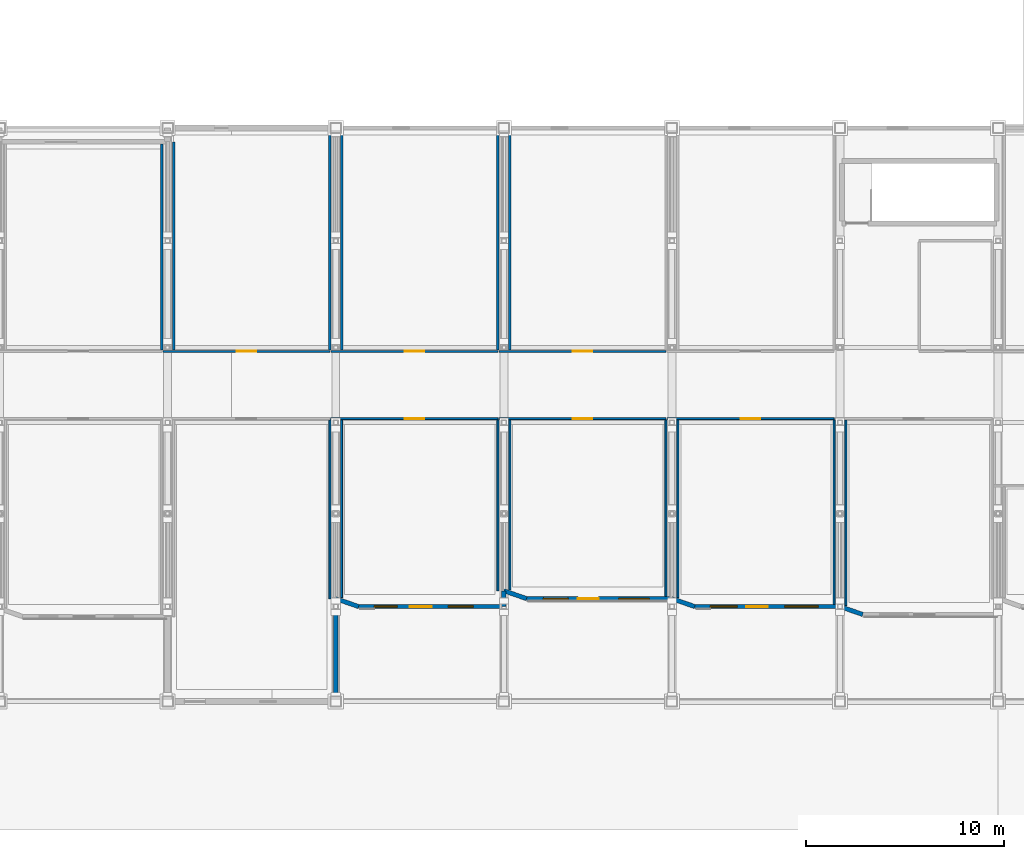
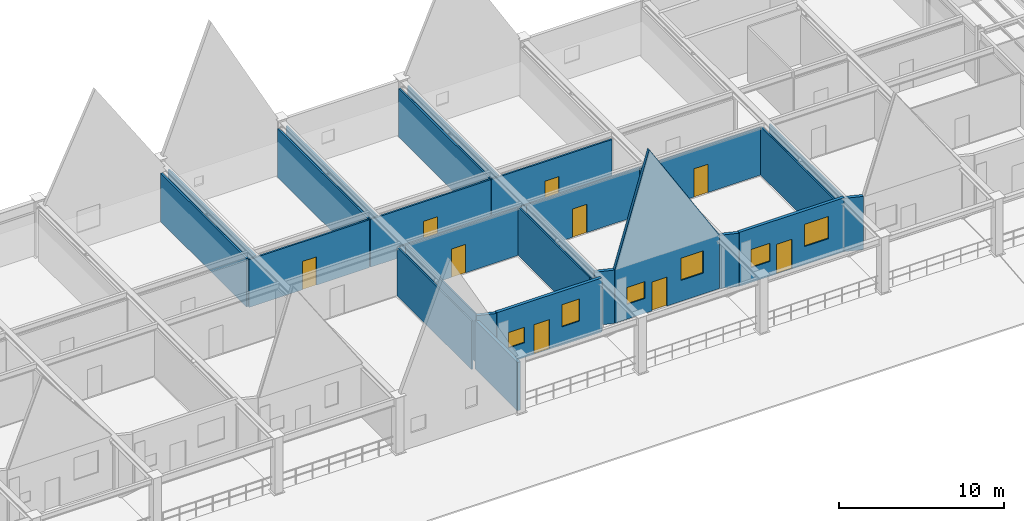
# One storey, part 64 of 78: 29 walls, 9 doors, 6 windows, 15 openings.
"""IFC4 building model written with IfcOpenShell, lengths in metres."""

from ifc_helpers import new_model, si_unit, direction, frame, frame_2d, origin, place, context, subcontext, project, spatial, polyline, rectangle, outline, extrude, material, layer, layer_set, type_object, element, fill, save


model = new_model("IFC4")

# Units and contexts
model_context = context("Model", 3, precision=1e-05, world=origin(), true_north=direction((0.0, 1.0)))
body_context = subcontext(model_context, "Body", "Model", "MODEL_VIEW")
ifc_project = project(units=[si_unit("LENGTHUNIT", "METRE"), si_unit("AREAUNIT", "SQUARE_METRE"), si_unit("VOLUMEUNIT", "CUBIC_METRE"), si_unit("PLANEANGLEUNIT", "RADIAN"), si_unit("MASSUNIT", "GRAM", prefix="KILO"), si_unit("THERMODYNAMICTEMPERATUREUNIT", "KELVIN"), si_unit("POWERUNIT", "WATT")], contexts=[model_context])

# Site, building, storey
site_placement = place(None, origin())
site = spatial("IfcSite", under=ifc_project, at=site_placement, CompositionType="ELEMENT")
building_placement = place(site_placement, origin())
building = spatial("IfcBuilding", under=site, at=building_placement, Name="Zhenchuan Central Fire Station", CompositionType="ELEMENT")
storey_placement = place(building_placement, frame((0.0, 0.0, 5.85009765625)))
storey = spatial("IfcBuildingStorey", under=building, at=storey_placement, Name="L02", CompositionType="ELEMENT", Elevation=5.85009765625)

# Wall
ifc_material_1 = material(Name="Precast concrete C40/50", Category="concrete")
ifc_layer_1 = layer(ifc_material_1, 0.219970703125, Name="Precast concrete C40/50", Category="concrete")
ifc_layer_set_1 = layer_set([ifc_layer_1], Name="Precast concrete C40/50")
wall_type_1 = type_object("IfcWallType", Name="EW-PRC220", PredefinedType="SOLIDWALL", material=ifc_layer_set_1)
wall_1_placement = place(storey_placement, frame((98.5, 6.510009765625, 0.0), z_axis=(0.0, 0.0, 1.0), x_axis=(0.0, 1.0, 0.0)))
element("IfcWall", 1, at=wall_1_placement, inside=storey, type_object=wall_type_1, Name="Pavilion H06 South Setback Return Wall", PredefinedType="SOLIDWALL", context=body_context, shape_type="SweptSolid", body=[
    extrude(rectangle(XDim=5.179931640625, YDim=0.219970703125, at=frame_2d((2.58984375, 0.0))), origin(), (0.0, 0.0, 1.0), 3.58984375),
])

# Wall, openings, door, windows
wall_2_placement = place(storey_placement, frame((99.64990234375, 11.300048828125, 0.0), z_axis=(0.0, 0.0, 1.0), x_axis=(1.0, 0.0, 0.0)))
wall_2 = element("IfcWall", 2, at=wall_2_placement, inside=storey, type_object=wall_type_1, Name="Pavilion H06 South Wall", PredefinedType="SOLIDWALL", context=body_context, shape_type="SweptSolid", body=[
    extrude(rectangle(XDim=7.35009765625, YDim=0.219970703125, at=frame_2d((3.675048828125, 0.0))), origin(), (0.0, 0.0, 1.0), 4.0),
])
opening_1_placement = place(wall_2_placement, frame((2.60009765625, 0.0, 0.0)))
opening_1 = element("IfcOpeningElement", 3, at=opening_1_placement, cuts=wall_2, Name="Opening TD-005", PredefinedType="OPENING", context=body_context, shape_type="SweptSolid", body=[
    extrude(rectangle(XDim=1.10009765625, YDim=2.199951171875, at=frame_2d((0.550048828125, 1.10009765625))), frame((0.0, 0.119873046875, 0.0), z_axis=(0.0, -1.0, 0.0), x_axis=(1.0, 0.0, 0.0)), (0.0, 0.0, 1.0), 0.239990234375),
])
opening_2_placement = place(wall_2_placement, frame((0.800048828125, 0.0, 1.10009765625)))
opening_2 = element("IfcOpeningElement", 4, at=opening_2_placement, cuts=wall_2, Name="Opening W-06", PredefinedType="OPENING", context=body_context, shape_type="SweptSolid", body=[
    extrude(rectangle(XDim=1.14990234375, YDim=1.14990234375, at=frame_2d((0.574951171875, 0.574951171875))), frame((0.0, 0.119873046875, 0.0), z_axis=(0.0, -1.0, 0.0), x_axis=(1.0, 0.0, 0.0)), (0.0, 0.0, 1.0), 0.239990234375),
])
opening_3_placement = place(wall_2_placement, frame((4.550048828125, 0.0, 1.35009765625)))
opening_3 = element("IfcOpeningElement", 5, at=opening_3_placement, cuts=wall_2, Name="Opening W-49", PredefinedType="OPENING", context=body_context, shape_type="SweptSolid", body=[
    extrude(rectangle(XDim=1.25, YDim=1.64990234375, at=frame_2d((0.625, 0.824951171875))), frame((0.0, 0.119873046875, 0.0), z_axis=(0.0, -1.0, 0.0), x_axis=(1.0, 0.0, 0.0)), (0.0, 0.0, 1.0), 0.239990234375),
])
ifc_material_2 = material(Name="Thermally broken aluminium terrace door", Category="aluminium")
door_type_1 = type_object("IfcDoorType", Name="ED-110x220", OperationType="NOTDEFINED", PredefinedType="DOOR", material=ifc_material_2)
door_1_placement = place(opening_1_placement, frame((1.10009765625, 0.0, 0.0), z_axis=(0.0, 0.0, 1.0), x_axis=(-1.0, 0.0, 0.0)))
door_1 = element("IfcDoor", 6, at=door_1_placement, inside=storey, type_object=door_type_1, Name="Pavilion H06 Setback Terrace Door", OperationType="SINGLE_SWING_LEFT", OverallHeight=2.199951171875, OverallWidth=1.10009765625, PredefinedType="DOOR", context=body_context, shape_type="SweptSolid", body=[
    extrude(rectangle(XDim=1.10009765625, YDim=2.199951171875, at=frame_2d((0.550048828125, 1.10009765625))), frame((0.0, 0.02490234375, 0.0), z_axis=(0.0, -1.0, 0.0), x_axis=(1.0, 0.0, 0.0)), (0.0, 0.0, 1.0), 0.050048828125),
])
fill(opening_1, door_1)
ifc_material_3 = material(Name="Laminated low-E double glazing in aluminium frame", Category="aluminium")
window_type_1 = type_object("IfcWindowType", Name="WN-06", PartitioningType="SINGLE_PANEL", PredefinedType="WINDOW", material=ifc_material_3)
window_1_placement = place(opening_2_placement, origin())
window_1 = element("IfcWindow", 7, at=window_1_placement, inside=storey, type_object=window_type_1, Name="Exterior Window 0021", OverallHeight=1.14990234375, OverallWidth=1.14990234375, PartitioningType="SINGLE_PANEL", PredefinedType="WINDOW", context=body_context, shape_type="SweptSolid", body=[
    extrude(rectangle(XDim=1.14990234375, YDim=1.14990234375, at=frame_2d((0.574951171875, 0.574951171875))), frame((0.0, 0.030029296875, 0.0), z_axis=(0.0, -1.0, 0.0), x_axis=(1.0, 0.0, 0.0)), (0.0, 0.0, 1.0), 0.06005859375),
])
fill(opening_2, window_1)
window_type_2 = type_object("IfcWindowType", Name="WN-49", PartitioningType="SINGLE_PANEL", PredefinedType="WINDOW", material=ifc_material_3)
window_2_placement = place(opening_3_placement, origin())
window_2 = element("IfcWindow", 8, at=window_2_placement, inside=storey, type_object=window_type_2, Name="Exterior Window 0022", OverallHeight=1.64990234375, OverallWidth=1.25, PartitioningType="SINGLE_PANEL", PredefinedType="WINDOW", context=body_context, shape_type="SweptSolid", body=[
    extrude(rectangle(XDim=1.25, YDim=1.64990234375, at=frame_2d((0.625, 0.824951171875))), frame((0.0, 0.030029296875, 0.0), z_axis=(0.0, -1.0, 0.0), x_axis=(1.0, 0.0, 0.0)), (0.0, 0.0, 1.0), 0.06005859375),
])
fill(opening_3, window_2)

# Walls
wall_3_placement = place(storey_placement, frame((98.5, 11.699951171875, 0.0), z_axis=(0.0, 0.0, 1.0), x_axis=(0.944513027611, -0.328473957373, 0.0)))
element("IfcWall", 9, at=wall_3_placement, inside=storey, type_object=wall_type_1, Name="Pavilion H06 Chamfer Wall", PredefinedType="SOLIDWALL", context=body_context, shape_type="SweptSolid", body=[
    extrude(outline(polyline([(0.0, 0.0), (1.217529296875, 0.0), (1.217529296875, 3.949951171875), (0.0, 3.949951171875), (0.0, 0.0)])), frame((0.0, 0.10986328125, 0.0), z_axis=(0.0, -1.0, 0.0), x_axis=(1.0, 0.0, 0.0)), (0.0, 0.0, 1.0), 0.219970703125),
])
wall_4_placement = place(storey_placement, frame((107.0, 11.31005859375, 0.0), z_axis=(0.0, 0.0, 1.0), x_axis=(0.0, 1.0, 0.0)))
element("IfcWall", 10, at=wall_4_placement, inside=storey, type_object=wall_type_1, Name="Pavilion H07 South Setback Return Wall", PredefinedType="SOLIDWALL", context=body_context, shape_type="SweptSolid", body=[
    extrude(rectangle(XDim=0.780029296875, YDim=0.219970703125, at=frame_2d((0.39013671875, 0.0))), origin(), (0.0, 0.0, 1.0), 3.58984375),
])

# Wall, openings, door, windows
wall_5_placement = place(storey_placement, frame((108.14990234375, 11.699951171875, 0.0), z_axis=(0.0, 0.0, 1.0), x_axis=(1.0, 0.0, 0.0)))
wall_5 = element("IfcWall", 11, at=wall_5_placement, inside=storey, type_object=wall_type_1, Name="Pavilion H07 South Gable Wall", PredefinedType="SOLIDWALL", context=body_context, shape_type="SweptSolid", body=[
    extrude(outline(polyline([(0.0, 0.0), (7.35009765625, 0.0), (7.35009765625, 3.949951171875), (2.419921875, 12.02001953125), (0.0, 3.949951171875), (0.0, 0.0)])), frame((0.0, 0.10986328125, 0.0), z_axis=(0.0, -1.0, 0.0), x_axis=(1.0, 0.0, 0.0)), (0.0, 0.0, 1.0), 0.219970703125),
])
opening_4_placement = place(wall_5_placement, frame((2.60009765625, 0.0, 0.0)))
opening_4 = element("IfcOpeningElement", 12, at=opening_4_placement, cuts=wall_5, Name="Opening TD-006", PredefinedType="OPENING", context=body_context, shape_type="SweptSolid", body=[
    extrude(rectangle(XDim=1.050048828125, YDim=2.14990234375, at=frame_2d((0.52490234375, 1.074951171875))), frame((0.0, 0.119873046875, 0.0), z_axis=(0.0, -1.0, 0.0), x_axis=(1.0, 0.0, 0.0)), (0.0, 0.0, 1.0), 0.239990234375),
])
opening_5_placement = place(wall_5_placement, frame((0.85009765625, 0.0, 1.10009765625)))
opening_5 = element("IfcOpeningElement", 13, at=opening_5_placement, cuts=wall_5, Name="Opening W-07", PredefinedType="OPENING", context=body_context, shape_type="SweptSolid", body=[
    extrude(rectangle(XDim=1.25, YDim=1.25, at=frame_2d((0.625, 0.625))), frame((0.0, 0.119873046875, 0.0), z_axis=(0.0, -1.0, 0.0), x_axis=(1.0, 0.0, 0.0)), (0.0, 0.0, 1.0), 0.239990234375),
])
opening_6_placement = place(wall_5_placement, frame((4.64990234375, 0.0, 1.550048828125)))
opening_6 = element("IfcOpeningElement", 14, at=opening_6_placement, cuts=wall_5, Name="Opening W-50", PredefinedType="OPENING", context=body_context, shape_type="SweptSolid", body=[
    extrude(rectangle(XDim=1.550048828125, YDim=1.64990234375, at=frame_2d((0.77490234375, 0.824951171875))), frame((0.0, 0.119873046875, 0.0), z_axis=(0.0, -1.0, 0.0), x_axis=(1.0, 0.0, 0.0)), (0.0, 0.0, 1.0), 0.239990234375),
])
door_type_2 = type_object("IfcDoorType", Name="ED-105x215", OperationType="NOTDEFINED", PredefinedType="DOOR", material=ifc_material_2)
door_2_placement = place(opening_4_placement, frame((1.050048828125, 0.0, 0.0), z_axis=(0.0, 0.0, 1.0), x_axis=(-1.0, 0.0, 0.0)))
door_2 = element("IfcDoor", 15, at=door_2_placement, inside=storey, type_object=door_type_2, Name="Pavilion H07 Terrace Door", OperationType="SINGLE_SWING_RIGHT", OverallHeight=2.14990234375, OverallWidth=1.050048828125, PredefinedType="DOOR", context=body_context, shape_type="SweptSolid", body=[
    extrude(rectangle(XDim=1.050048828125, YDim=2.14990234375, at=frame_2d((0.52490234375, 1.074951171875))), frame((0.0, 0.02490234375, 0.0), z_axis=(0.0, -1.0, 0.0), x_axis=(1.0, 0.0, 0.0)), (0.0, 0.0, 1.0), 0.050048828125),
])
fill(opening_4, door_2)
window_type_3 = type_object("IfcWindowType", Name="WN-07", PartitioningType="SINGLE_PANEL", PredefinedType="WINDOW", material=ifc_material_3)
window_3_placement = place(opening_5_placement, origin())
window_3 = element("IfcWindow", 16, at=window_3_placement, inside=storey, type_object=window_type_3, Name="Exterior Window 0024", OverallHeight=1.25, OverallWidth=1.25, PartitioningType="SINGLE_PANEL", PredefinedType="WINDOW", context=body_context, shape_type="SweptSolid", body=[
    extrude(rectangle(XDim=1.25, YDim=1.25, at=frame_2d((0.625, 0.625))), frame((0.0, 0.030029296875, 0.0), z_axis=(0.0, -1.0, 0.0), x_axis=(1.0, 0.0, 0.0)), (0.0, 0.0, 1.0), 0.06005859375),
])
fill(opening_5, window_3)
window_type_4 = type_object("IfcWindowType", Name="WN-50", PartitioningType="SINGLE_PANEL", PredefinedType="WINDOW", material=ifc_material_3)
window_4_placement = place(opening_6_placement, origin())
window_4 = element("IfcWindow", 17, at=window_4_placement, inside=storey, type_object=window_type_4, Name="Exterior Window 0025", OverallHeight=1.64990234375, OverallWidth=1.550048828125, PartitioningType="SINGLE_PANEL", PredefinedType="WINDOW", context=body_context, shape_type="SweptSolid", body=[
    extrude(rectangle(XDim=1.550048828125, YDim=1.64990234375, at=frame_2d((0.77490234375, 0.824951171875))), frame((0.0, 0.030029296875, 0.0), z_axis=(0.0, -1.0, 0.0), x_axis=(1.0, 0.0, 0.0)), (0.0, 0.0, 1.0), 0.06005859375),
])
fill(opening_6, window_4)

# Wall
wall_6_placement = place(storey_placement, frame((107.0, 12.10009765625, 0.0), z_axis=(0.0, 0.0, 1.0), x_axis=(0.944450799651, -0.328652836651, 0.0)))
element("IfcWall", 18, at=wall_6_placement, inside=storey, type_object=wall_type_1, Name="Pavilion H07 Chamfer Wall", PredefinedType="SOLIDWALL", context=body_context, shape_type="SweptSolid", body=[
    extrude(outline(polyline([(0.0, 0.0), (1.217529296875, 0.0), (1.217529296875, 3.949951171875), (0.0, 3.949951171875), (0.0, 0.0)])), frame((0.0, 0.10986328125, 0.0), z_axis=(0.0, -1.0, 0.0), x_axis=(1.0, 0.0, 0.0)), (0.0, 0.0, 1.0), 0.219970703125),
])

# Wall, openings, door, windows
wall_7_placement = place(storey_placement, frame((116.64990234375, 11.300048828125, 0.0), z_axis=(0.0, 0.0, 1.0), x_axis=(1.0, 0.0, 0.0)))
wall_7 = element("IfcWall", 19, at=wall_7_placement, inside=storey, type_object=wall_type_1, Name="Pavilion H08 South Wall", PredefinedType="SOLIDWALL", context=body_context, shape_type="SweptSolid", body=[
    extrude(rectangle(XDim=7.35009765625, YDim=0.219970703125, at=frame_2d((3.675048828125, 0.0))), origin(), (0.0, 0.0, 1.0), 4.0),
])
opening_7_placement = place(wall_7_placement, frame((2.60009765625, 0.0, 0.0)))
opening_7 = element("IfcOpeningElement", 20, at=opening_7_placement, cuts=wall_7, Name="Opening TD-007", PredefinedType="OPENING", context=body_context, shape_type="SweptSolid", body=[
    extrude(rectangle(XDim=1.10009765625, YDim=2.199951171875, at=frame_2d((0.550048828125, 1.10009765625))), frame((0.0, 0.119873046875, 0.0), z_axis=(0.0, -1.0, 0.0), x_axis=(1.0, 0.0, 0.0)), (0.0, 0.0, 1.0), 0.239990234375),
])
opening_8_placement = place(wall_7_placement, frame((0.800048828125, 0.0, 1.10009765625)))
opening_8 = element("IfcOpeningElement", 21, at=opening_8_placement, cuts=wall_7, Name="Opening W-08", PredefinedType="OPENING", context=body_context, shape_type="SweptSolid", body=[
    extrude(rectangle(XDim=1.35009765625, YDim=1.35009765625, at=frame_2d((0.675048828125, 0.675048828125))), frame((0.0, 0.119873046875, 0.0), z_axis=(0.0, -1.0, 0.0), x_axis=(1.0, 0.0, 0.0)), (0.0, 0.0, 1.0), 0.239990234375),
])
opening_9_placement = place(wall_7_placement, frame((4.550048828125, 0.0, 1.35009765625)))
opening_9 = element("IfcOpeningElement", 22, at=opening_9_placement, cuts=wall_7, Name="Opening W-51", PredefinedType="OPENING", context=body_context, shape_type="SweptSolid", body=[
    extrude(rectangle(XDim=1.699951171875, YDim=1.64990234375, at=frame_2d((0.85009765625, 0.824951171875))), frame((0.0, 0.119873046875, 0.0), z_axis=(0.0, -1.0, 0.0), x_axis=(1.0, 0.0, 0.0)), (0.0, 0.0, 1.0), 0.239990234375),
])
door_3_placement = place(opening_7_placement, frame((1.10009765625, 0.0, 0.0), z_axis=(0.0, 0.0, 1.0), x_axis=(-1.0, 0.0, 0.0)))
door_3 = element("IfcDoor", 23, at=door_3_placement, inside=storey, type_object=door_type_1, Name="Pavilion H08 Setback Terrace Door", OperationType="SINGLE_SWING_LEFT", OverallHeight=2.199951171875, OverallWidth=1.10009765625, PredefinedType="DOOR", context=body_context, shape_type="SweptSolid", body=[
    extrude(rectangle(XDim=1.10009765625, YDim=2.199951171875, at=frame_2d((0.550048828125, 1.10009765625))), frame((0.0, 0.02490234375, 0.0), z_axis=(0.0, -1.0, 0.0), x_axis=(1.0, 0.0, 0.0)), (0.0, 0.0, 1.0), 0.050048828125),
])
fill(opening_7, door_3)
window_type_5 = type_object("IfcWindowType", Name="WN-08", PartitioningType="SINGLE_PANEL", PredefinedType="WINDOW", material=ifc_material_3)
window_5_placement = place(opening_8_placement, origin())
window_5 = element("IfcWindow", 24, at=window_5_placement, inside=storey, type_object=window_type_5, Name="Exterior Window 0027", OverallHeight=1.35009765625, OverallWidth=1.35009765625, PartitioningType="SINGLE_PANEL", PredefinedType="WINDOW", context=body_context, shape_type="SweptSolid", body=[
    extrude(rectangle(XDim=1.35009765625, YDim=1.35009765625, at=frame_2d((0.675048828125, 0.675048828125))), frame((0.0, 0.030029296875, 0.0), z_axis=(0.0, -1.0, 0.0), x_axis=(1.0, 0.0, 0.0)), (0.0, 0.0, 1.0), 0.06005859375),
])
fill(opening_8, window_5)
window_type_6 = type_object("IfcWindowType", Name="WN-51", PartitioningType="SINGLE_PANEL", PredefinedType="WINDOW", material=ifc_material_3)
window_6_placement = place(opening_9_placement, origin())
window_6 = element("IfcWindow", 25, at=window_6_placement, inside=storey, type_object=window_type_6, Name="Exterior Window 0028", OverallHeight=1.64990234375, OverallWidth=1.699951171875, PartitioningType="SINGLE_PANEL", PredefinedType="WINDOW", context=body_context, shape_type="SweptSolid", body=[
    extrude(rectangle(XDim=1.699951171875, YDim=1.64990234375, at=frame_2d((0.85009765625, 0.824951171875))), frame((0.0, 0.030029296875, 0.0), z_axis=(0.0, -1.0, 0.0), x_axis=(1.0, 0.0, 0.0)), (0.0, 0.0, 1.0), 0.06005859375),
])
fill(opening_9, window_6)

# Walls
for number, where, z_axis, x_axis, name in (
    (26, (115.5, 11.699951171875, 0.0), (0.0, 0.0, 1.0), (0.944513027611, -0.328473957373, 0.0), "Pavilion H08 Chamfer Wall"),
    (27, (124.0, 11.300048828125, 0.0), (0.0, 0.0, 1.0), (0.944450799651, -0.328652836651, 0.0), "Pavilion H09 Chamfer Wall"),
):
    element("IfcWall", number, at=place(storey_placement, frame(where, z_axis=z_axis, x_axis=x_axis)), inside=storey, type_object=wall_type_1, Name=name, PredefinedType="SOLIDWALL", context=body_context, shape_type="SweptSolid", body=[
        extrude(outline(polyline([(0.0, 0.0), (1.217529296875, 0.0), (1.217529296875, 3.949951171875), (0.0, 3.949951171875), (0.0, 0.0)])), frame((0.0, 0.10986328125, 0.0), z_axis=(0.0, -1.0, 0.0), x_axis=(1.0, 0.0, 0.0)), (0.0, 0.0, 1.0), 0.219970703125),
    ])
ifc_material_4 = material(Name="Gypsum plasterboard on steel studs", Category="gypsum")
ifc_layer_2 = layer(ifc_material_4, 0.10009765625, Name="Gypsum plasterboard on steel studs", Category="gypsum")
ifc_layer_set_2 = layer_set([ifc_layer_2], Name="Gypsum plasterboard on steel studs")
wall_type_2 = type_object("IfcWallType", Name="IW-GYP100", PredefinedType="PARTITIONING", material=ifc_layer_set_2)
wall_8_placement = place(storey_placement, frame((98.199951171875, 11.693115234375, 0.0), z_axis=(0.0, 0.0, 1.0), x_axis=(0.0, 1.0, 0.0)))
element("IfcWall", 28, at=wall_8_placement, inside=storey, type_object=wall_type_2, Name="Central Station Heritage Hall E Partition", PredefinedType="PARTITIONING", context=body_context, shape_type="SweptSolid", body=[
    extrude(rectangle(XDim=9.053955078125, YDim=0.10009765625, at=frame_2d((4.52685546875, 0.0))), origin(), (0.0, 0.0, 1.0), 3.593994140625),
])

# Wall, opening, door
wall_9_placement = place(storey_placement, frame((98.2529296875, 20.800048828125, 0.0), z_axis=(0.0, 0.0, 1.0), x_axis=(1.0, 0.0, 0.0)))
wall_9 = element("IfcWall", 29, at=wall_9_placement, inside=storey, type_object=wall_type_2, Name="Medical Rescue Training Studio N Partition", PredefinedType="PARTITIONING", context=body_context, shape_type="SweptSolid", body=[
    extrude(rectangle(XDim=8.447021484375, YDim=0.10009765625, at=frame_2d((4.2236328125, 0.0))), origin(), (0.0, 0.0, 1.0), 3.5439453125),
])
opening_10_placement = place(wall_9_placement, frame((3.723388671875, 0.0, 0.0)))
opening_10 = element("IfcOpeningElement", 30, at=opening_10_placement, cuts=wall_9, Name="Opening D-110", PredefinedType="OPENING", context=body_context, shape_type="SweptSolid", body=[
    extrude(rectangle(XDim=1.0, YDim=2.10009765625, at=frame_2d((0.5, 1.050048828125))), frame((0.0, 0.06005859375, 0.0), z_axis=(0.0, -1.0, 0.0), x_axis=(1.0, 0.0, 0.0)), (0.0, 0.0, 1.0), 0.1201171875),
])
ifc_material_5 = material(Name="Solid-core timber office door", Category="wood")
door_type_3 = type_object("IfcDoorType", Name="ID-OFF-100x210", OperationType="NOTDEFINED", PredefinedType="DOOR", material=ifc_material_5)
door_4_placement = place(opening_10_placement, origin())
door_4 = element("IfcDoor", 31, at=door_4_placement, inside=storey, type_object=door_type_3, Name="Medical Rescue Training Studio Door", OperationType="SINGLE_SWING_RIGHT", OverallHeight=2.10009765625, OverallWidth=1.0, PredefinedType="DOOR", context=body_context, shape_type="SweptSolid", body=[
    extrude(rectangle(XDim=1.0, YDim=2.10009765625, at=frame_2d((0.5, 1.050048828125))), frame((0.0, 0.02490234375, 0.0), z_axis=(0.0, -1.0, 0.0), x_axis=(1.0, 0.0, 0.0)), (0.0, 0.0, 1.0), 0.050048828125),
])
fill(opening_10, door_4)

# Walls
wall_10_placement = place(storey_placement, frame((98.800048828125, 11.75, 0.0), z_axis=(0.0, 0.0, 1.0), x_axis=(0.0, 1.0, 0.0)))
element("IfcWall", 32, at=wall_10_placement, inside=storey, type_object=wall_type_2, Name="Medical Rescue Training Studio W Partition", PredefinedType="PARTITIONING", context=body_context, shape_type="SweptSolid", body=[
    extrude(rectangle(XDim=8.9970703125, YDim=0.10009765625, at=frame_2d((4.49853515625, 0.0))), origin(), (0.0, 0.0, 1.0), 3.593994140625),
])
wall_11_placement = place(storey_placement, frame((106.699951171875, 12.093017578125, 0.0), z_axis=(0.0, 0.0, 1.0), x_axis=(0.0, 1.0, 0.0)))
element("IfcWall", 33, at=wall_11_placement, inside=storey, type_object=wall_type_2, Name="Medical Rescue Training Studio E Partition", PredefinedType="PARTITIONING", context=body_context, shape_type="SweptSolid", body=[
    extrude(rectangle(XDim=8.654052734375, YDim=0.10009765625, at=frame_2d((4.3271484375, 0.0))), origin(), (0.0, 0.0, 1.0), 3.593994140625),
])

# Wall, opening, door
wall_12_placement = place(storey_placement, frame((106.7529296875, 20.800048828125, 0.0), z_axis=(0.0, 0.0, 1.0), x_axis=(1.0, 0.0, 0.0)))
wall_12 = element("IfcWall", 34, at=wall_12_placement, inside=storey, type_object=wall_type_2, Name="Technical Library and Reading Room N Partition", PredefinedType="PARTITIONING", context=body_context, shape_type="SweptSolid", body=[
    extrude(rectangle(XDim=8.447021484375, YDim=0.10009765625, at=frame_2d((4.2236328125, 0.0))), origin(), (0.0, 0.0, 1.0), 3.5439453125),
])
opening_11_placement = place(wall_12_placement, frame((3.723388671875, 0.0, 0.0)))
opening_11 = element("IfcOpeningElement", 35, at=opening_11_placement, cuts=wall_12, Name="Opening D-112", PredefinedType="OPENING", context=body_context, shape_type="SweptSolid", body=[
    extrude(rectangle(XDim=1.0, YDim=2.10009765625, at=frame_2d((0.5, 1.050048828125))), frame((0.0, 0.06005859375, 0.0), z_axis=(0.0, -1.0, 0.0), x_axis=(1.0, 0.0, 0.0)), (0.0, 0.0, 1.0), 0.1201171875),
])
door_5_placement = place(opening_11_placement, origin())
door_5 = element("IfcDoor", 36, at=door_5_placement, inside=storey, type_object=door_type_3, Name="Technical Library and Reading Room Door", OperationType="SINGLE_SWING_RIGHT", OverallHeight=2.10009765625, OverallWidth=1.0, PredefinedType="DOOR", context=body_context, shape_type="SweptSolid", body=[
    extrude(rectangle(XDim=1.0, YDim=2.10009765625, at=frame_2d((0.5, 1.050048828125))), frame((0.0, 0.02490234375, 0.0), z_axis=(0.0, -1.0, 0.0), x_axis=(1.0, 0.0, 0.0)), (0.0, 0.0, 1.0), 0.050048828125),
])
fill(opening_11, door_5)

# Walls
wall_13_placement = place(storey_placement, frame((107.300048828125, 12.14990234375, 0.0), z_axis=(0.0, 0.0, 1.0), x_axis=(0.0, 1.0, 0.0)))
element("IfcWall", 37, at=wall_13_placement, inside=storey, type_object=wall_type_2, Name="Technical Library and Reading Room W Partition", PredefinedType="PARTITIONING", context=body_context, shape_type="SweptSolid", body=[
    extrude(rectangle(XDim=8.59716796875, YDim=0.10009765625, at=frame_2d((4.298583984375, 0.0))), origin(), (0.0, 0.0, 1.0), 3.593994140625),
])
wall_14_placement = place(storey_placement, frame((115.199951171875, 11.81298828125, 0.0), z_axis=(0.0, 0.0, 1.0), x_axis=(0.0, 1.0, 0.0)))
element("IfcWall", 38, at=wall_14_placement, inside=storey, type_object=wall_type_2, Name="Technical Library and Reading Room E Partition", PredefinedType="PARTITIONING", context=body_context, shape_type="SweptSolid", body=[
    extrude(rectangle(XDim=8.93408203125, YDim=0.10009765625, at=frame_2d((4.467041015625, 0.0))), origin(), (0.0, 0.0, 1.0), 3.593994140625),
])

# Wall, opening, door
wall_15_placement = place(storey_placement, frame((115.2529296875, 20.800048828125, 0.0), z_axis=(0.0, 0.0, 1.0), x_axis=(1.0, 0.0, 0.0)))
wall_15 = element("IfcWall", 39, at=wall_15_placement, inside=storey, type_object=wall_type_2, Name="Drone Reconnaissance Lab N Partition", PredefinedType="PARTITIONING", context=body_context, shape_type="SweptSolid", body=[
    extrude(rectangle(XDim=8.447021484375, YDim=0.10009765625, at=frame_2d((4.2236328125, 0.0))), origin(), (0.0, 0.0, 1.0), 3.5439453125),
])
opening_12_placement = place(wall_15_placement, frame((3.723388671875, 0.0, 0.0)))
opening_12 = element("IfcOpeningElement", 40, at=opening_12_placement, cuts=wall_15, Name="Opening D-114", PredefinedType="OPENING", context=body_context, shape_type="SweptSolid", body=[
    extrude(rectangle(XDim=1.0, YDim=2.10009765625, at=frame_2d((0.5, 1.050048828125))), frame((0.0, 0.06005859375, 0.0), z_axis=(0.0, -1.0, 0.0), x_axis=(1.0, 0.0, 0.0)), (0.0, 0.0, 1.0), 0.1201171875),
])
door_6_placement = place(opening_12_placement, origin())
door_6 = element("IfcDoor", 41, at=door_6_placement, inside=storey, type_object=door_type_3, Name="Drone Reconnaissance Lab Door", OperationType="SINGLE_SWING_RIGHT", OverallHeight=2.10009765625, OverallWidth=1.0, PredefinedType="DOOR", context=body_context, shape_type="SweptSolid", body=[
    extrude(rectangle(XDim=1.0, YDim=2.10009765625, at=frame_2d((0.5, 1.050048828125))), frame((0.0, 0.02490234375, 0.0), z_axis=(0.0, -1.0, 0.0), x_axis=(1.0, 0.0, 0.0)), (0.0, 0.0, 1.0), 0.050048828125),
])
fill(opening_12, door_6)

# Walls
wall_16_placement = place(storey_placement, frame((115.800048828125, 11.75, 0.0), z_axis=(0.0, 0.0, 1.0), x_axis=(0.0, 1.0, 0.0)))
element("IfcWall", 42, at=wall_16_placement, inside=storey, type_object=wall_type_2, Name="Drone Reconnaissance Lab W Partition", PredefinedType="PARTITIONING", context=body_context, shape_type="SweptSolid", body=[
    extrude(rectangle(XDim=8.9970703125, YDim=0.10009765625, at=frame_2d((4.49853515625, 0.0))), origin(), (0.0, 0.0, 1.0), 3.593994140625),
])
wall_17_placement = place(storey_placement, frame((123.699951171875, 11.4130859375, 0.0), z_axis=(0.0, 0.0, 1.0), x_axis=(0.0, 1.0, 0.0)))
element("IfcWall", 43, at=wall_17_placement, inside=storey, type_object=wall_type_2, Name="Drone Reconnaissance Lab E Partition", PredefinedType="PARTITIONING", context=body_context, shape_type="SweptSolid", body=[
    extrude(rectangle(XDim=9.333984375, YDim=0.10009765625, at=frame_2d((4.6669921875, 0.0))), origin(), (0.0, 0.0, 1.0), 3.593994140625),
])
wall_18_placement = place(storey_placement, frame((124.300048828125, 11.35009765625, 0.0), z_axis=(0.0, 0.0, 1.0), x_axis=(0.0, 1.0, 0.0)))
element("IfcWall", 44, at=wall_18_placement, inside=storey, type_object=wall_type_2, Name="Swiftwater Rescue Gear Room W Partition", PredefinedType="PARTITIONING", context=body_context, shape_type="SweptSolid", body=[
    extrude(rectangle(XDim=9.39697265625, YDim=0.10009765625, at=frame_2d((4.698486328125, 0.0))), origin(), (0.0, 0.0, 1.0), 3.593994140625),
])
ifc_layer_3 = layer(ifc_material_4, 0.1201171875, Name="Gypsum plasterboard on steel studs", Category="gypsum")
ifc_layer_set_3 = layer_set([ifc_layer_3], Name="Gypsum plasterboard on steel studs")
wall_type_3 = type_object("IfcWallType", Name="IW-GYP120", PredefinedType="PARTITIONING", material=ifc_layer_set_3)
wall_19_placement = place(storey_placement, frame((89.699951171875, 24.262939453125, 0.0), z_axis=(0.0, 0.0, 1.0), x_axis=(0.0, 1.0, 0.0)))
element("IfcWall", 45, at=wall_19_placement, inside=storey, type_object=wall_type_3, Name="Incident Review Classroom E Partition", PredefinedType="PARTITIONING", context=body_context, shape_type="SweptSolid", body=[
    extrude(rectangle(XDim=10.424072265625, YDim=0.1201171875, at=frame_2d((5.2119140625, 0.0))), origin(), (0.0, 0.0, 1.0), 3.593994140625),
])

# Wall, opening, door
wall_20_placement = place(storey_placement, frame((89.762939453125, 24.199951171875, 0.0), z_axis=(0.0, 0.0, 1.0), x_axis=(1.0, 0.0, 0.0)))
wall_20 = element("IfcWall", 46, at=wall_20_placement, inside=storey, type_object=wall_type_3, Name="Command Briefing Gallery S Partition", PredefinedType="PARTITIONING", context=body_context, shape_type="SweptSolid", body=[
    extrude(rectangle(XDim=8.43701171875, YDim=0.1201171875, at=frame_2d((4.218505859375, 0.0))), origin(), (0.0, 0.0, 1.0), 3.5439453125),
])
opening_13_placement = place(wall_20_placement, frame((3.728515625, 0.0, 0.0)))
opening_13 = element("IfcOpeningElement", 47, at=opening_13_placement, cuts=wall_20, Name="Opening D-109", PredefinedType="OPENING", context=body_context, shape_type="SweptSolid", body=[
    extrude(rectangle(XDim=0.97998046875, YDim=2.10009765625, at=frame_2d((0.489990234375, 1.050048828125))), frame((0.0, 0.070068359375, 0.0), z_axis=(0.0, -1.0, 0.0), x_axis=(1.0, 0.0, 0.0)), (0.0, 0.0, 1.0), 0.14013671875),
])
ifc_material_6 = material(Name="Solid-core timber study door", Category="wood")
door_type_4 = type_object("IfcDoorType", Name="ID-OFF-098x210", OperationType="NOTDEFINED", PredefinedType="DOOR", material=ifc_material_6)
door_7_placement = place(opening_13_placement, origin())
door_7 = element("IfcDoor", 48, at=door_7_placement, inside=storey, type_object=door_type_4, Name="Command Briefing Gallery Door", OperationType="SINGLE_SWING_LEFT", OverallHeight=2.10009765625, OverallWidth=0.97998046875, PredefinedType="DOOR", context=body_context, shape_type="SweptSolid", body=[
    extrude(rectangle(XDim=0.97998046875, YDim=2.10009765625, at=frame_2d((0.489990234375, 1.050048828125))), frame((0.0, 0.02490234375, 0.0), z_axis=(0.0, -1.0, 0.0), x_axis=(1.0, 0.0, 0.0)), (0.0, 0.0, 1.0), 0.050048828125),
])
fill(opening_13, door_7)

# Walls
wall_21_placement = place(storey_placement, frame((90.300048828125, 24.262939453125, 0.0), z_axis=(0.0, 0.0, 1.0), x_axis=(0.0, 1.0, 0.0)))
element("IfcWall", 49, at=wall_21_placement, inside=storey, type_object=wall_type_3, Name="Command Briefing Gallery W Partition", PredefinedType="PARTITIONING", context=body_context, shape_type="SweptSolid", body=[
    extrude(rectangle(XDim=10.5439453125, YDim=0.1201171875, at=frame_2d((5.27197265625, 0.0))), origin(), (0.0, 0.0, 1.0), 3.593994140625),
])
wall_22_placement = place(storey_placement, frame((98.199951171875, 24.262939453125, 0.0), z_axis=(0.0, 0.0, 1.0), x_axis=(0.0, 1.0, 0.0)))
element("IfcWall", 50, at=wall_22_placement, inside=storey, type_object=wall_type_3, Name="Command Briefing Gallery E Partition", PredefinedType="PARTITIONING", context=body_context, shape_type="SweptSolid", body=[
    extrude(rectangle(XDim=10.958984375, YDim=0.1201171875, at=frame_2d((5.4794921875, 0.0))), origin(), (0.0, 0.0, 1.0), 3.593994140625),
])

# Wall, opening, door
wall_23_placement = place(storey_placement, frame((98.262939453125, 24.199951171875, 0.0), z_axis=(0.0, 0.0, 1.0), x_axis=(1.0, 0.0, 0.0)))
wall_23 = element("IfcWall", 51, at=wall_23_placement, inside=storey, type_object=wall_type_3, Name="Paramedic Supply Store S Partition", PredefinedType="PARTITIONING", context=body_context, shape_type="SweptSolid", body=[
    extrude(rectangle(XDim=8.43701171875, YDim=0.1201171875, at=frame_2d((4.218505859375, 0.0))), origin(), (0.0, 0.0, 1.0), 3.5439453125),
])
opening_14_placement = place(wall_23_placement, frame((3.728515625, 0.0, 0.0)))
opening_14 = element("IfcOpeningElement", 52, at=opening_14_placement, cuts=wall_23, Name="Opening D-111", PredefinedType="OPENING", context=body_context, shape_type="SweptSolid", body=[
    extrude(rectangle(XDim=0.97998046875, YDim=2.10009765625, at=frame_2d((0.489990234375, 1.050048828125))), frame((0.0, 0.070068359375, 0.0), z_axis=(0.0, -1.0, 0.0), x_axis=(1.0, 0.0, 0.0)), (0.0, 0.0, 1.0), 0.14013671875),
])
door_8_placement = place(opening_14_placement, origin())
door_8 = element("IfcDoor", 53, at=door_8_placement, inside=storey, type_object=door_type_4, Name="Paramedic Supply Store Door", OperationType="SINGLE_SWING_LEFT", OverallHeight=2.10009765625, OverallWidth=0.97998046875, PredefinedType="DOOR", context=body_context, shape_type="SweptSolid", body=[
    extrude(rectangle(XDim=0.97998046875, YDim=2.10009765625, at=frame_2d((0.489990234375, 1.050048828125))), frame((0.0, 0.02490234375, 0.0), z_axis=(0.0, -1.0, 0.0), x_axis=(1.0, 0.0, 0.0)), (0.0, 0.0, 1.0), 0.050048828125),
])
fill(opening_14, door_8)

# Walls
for number, where, z_axis, x_axis, name in (
    (54, (98.800048828125, 24.262939453125, 0.0), (0.0, 0.0, 1.0), (0.0, 1.0, 0.0), "Paramedic Supply Store W Partition"),
    (55, (106.699951171875, 24.262939453125, 0.0), (0.0, 0.0, 1.0), (0.0, 1.0, 0.0), "Paramedic Supply Store E Partition"),
):
    element("IfcWall", number, at=place(storey_placement, frame(where, z_axis=z_axis, x_axis=x_axis)), inside=storey, type_object=wall_type_3, Name=name, PredefinedType="PARTITIONING", context=body_context, shape_type="SweptSolid", body=[
        extrude(rectangle(XDim=10.958984375, YDim=0.1201171875, at=frame_2d((5.4794921875, 0.0))), origin(), (0.0, 0.0, 1.0), 3.593994140625),
    ])

# Wall, opening, door
wall_24_placement = place(storey_placement, frame((106.762939453125, 24.199951171875, 0.0), z_axis=(0.0, 0.0, 1.0), x_axis=(1.0, 0.0, 0.0)))
wall_24 = element("IfcWall", 56, at=wall_24_placement, inside=storey, type_object=wall_type_3, Name="Cadet Seminar Room S Partition", PredefinedType="PARTITIONING", context=body_context, shape_type="SweptSolid", body=[
    extrude(rectangle(XDim=8.43701171875, YDim=0.1201171875, at=frame_2d((4.218505859375, 0.0))), origin(), (0.0, 0.0, 1.0), 3.5439453125),
])
opening_15_placement = place(wall_24_placement, frame((3.728515625, 0.0, 0.0)))
opening_15 = element("IfcOpeningElement", 57, at=opening_15_placement, cuts=wall_24, Name="Opening D-113", PredefinedType="OPENING", context=body_context, shape_type="SweptSolid", body=[
    extrude(rectangle(XDim=0.97998046875, YDim=2.10009765625, at=frame_2d((0.489990234375, 1.050048828125))), frame((0.0, 0.070068359375, 0.0), z_axis=(0.0, -1.0, 0.0), x_axis=(1.0, 0.0, 0.0)), (0.0, 0.0, 1.0), 0.14013671875),
])
door_9_placement = place(opening_15_placement, origin())
door_9 = element("IfcDoor", 58, at=door_9_placement, inside=storey, type_object=door_type_4, Name="Cadet Seminar Room Door", OperationType="SINGLE_SWING_LEFT", OverallHeight=2.10009765625, OverallWidth=0.97998046875, PredefinedType="DOOR", context=body_context, shape_type="SweptSolid", body=[
    extrude(rectangle(XDim=0.97998046875, YDim=2.10009765625, at=frame_2d((0.489990234375, 1.050048828125))), frame((0.0, 0.02490234375, 0.0), z_axis=(0.0, -1.0, 0.0), x_axis=(1.0, 0.0, 0.0)), (0.0, 0.0, 1.0), 0.050048828125),
])
fill(opening_15, door_9)

# Wall
wall_25_placement = place(storey_placement, frame((107.300048828125, 24.262939453125, 0.0), z_axis=(0.0, 0.0, 1.0), x_axis=(0.0, 1.0, 0.0)))
element("IfcWall", 59, at=wall_25_placement, inside=storey, type_object=wall_type_3, Name="Cadet Seminar Room W Partition", PredefinedType="PARTITIONING", context=body_context, shape_type="SweptSolid", body=[
    extrude(rectangle(XDim=10.958984375, YDim=0.1201171875, at=frame_2d((5.4794921875, 0.0))), origin(), (0.0, 0.0, 1.0), 3.593994140625),
])

save(model, "model.ifc")
